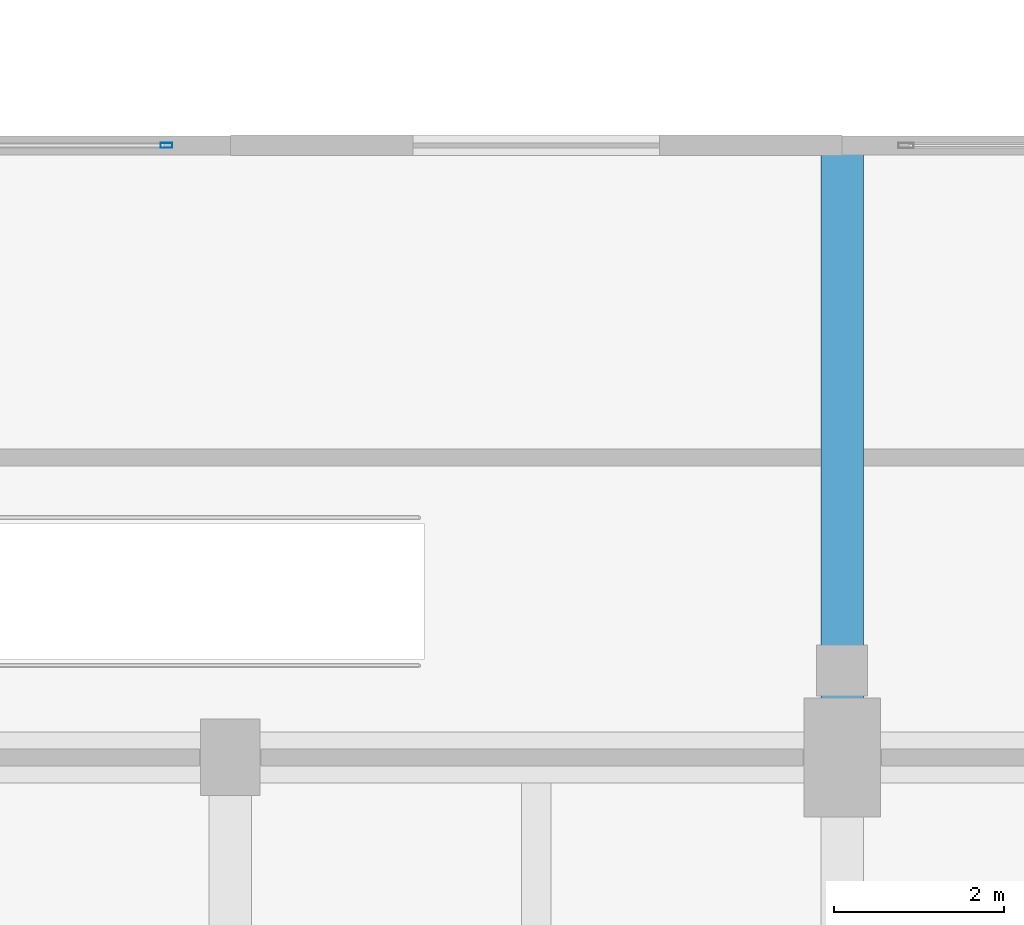
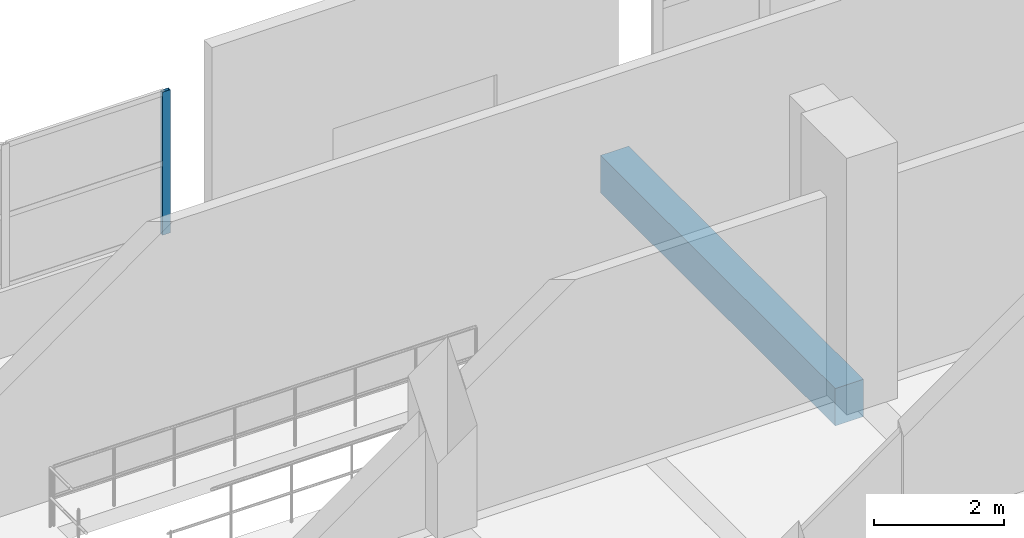
# One storey, part 88 of 181: 1 beam, 1 member, 1 element without a shape of its own.
"""IFC4 building model written with IfcOpenShell, lengths in metres."""

from ifc_helpers import new_model, si_unit, direction, frame, origin, origin_2d, place, context, subcontext, project, spatial, rectangle, hollow_rectangle, extrude, material, layer, layer_set, material_profile, profile_set, type_object, element, aggregate, save


model = new_model("IFC4")

# Units and contexts
model_context = context("Model", 3, precision=1e-05, world=origin(), true_north=direction((0.0, 1.0)))
body_context = subcontext(model_context, "Body", "Model", "MODEL_VIEW")
ifc_project = project(units=[si_unit("LENGTHUNIT", "METRE"), si_unit("AREAUNIT", "SQUARE_METRE"), si_unit("VOLUMEUNIT", "CUBIC_METRE"), si_unit("PLANEANGLEUNIT", "RADIAN"), si_unit("MASSUNIT", "GRAM", prefix="KILO")], contexts=[model_context])

# Site, building, storey
site_placement = place(None, origin())
site = spatial("IfcSite", under=ifc_project, at=site_placement, CompositionType="ELEMENT")
building_placement = place(site_placement, origin())
building = spatial("IfcBuilding", under=site, at=building_placement, Name="Seraya Terrace Polytechnic", CompositionType="ELEMENT")
storey_placement = place(building_placement, frame((0.0, 0.0, 4.800048828125)))
storey = spatial("IfcBuildingStorey", under=building, at=storey_placement, Name="L01", CompositionType="ELEMENT", Elevation=4.800048828125)

# Beam
ifc_material_1 = material(Name="Concrete C40/50", Category="concrete")
ifc_material_profile_1 = material_profile(ifc_material_1, rectangle(XDim=0.5, YDim=0.699951171875, at=origin_2d()), Name="RC 500x700")
ifc_profile_set_1 = profile_set([ifc_material_profile_1], Name="Concrete C40/50")
beam_type = type_object("IfcBeamType", Name="BM-07", PredefinedType="BEAM", material=ifc_profile_set_1)
beam_placement = place(storey_placement, frame((72.0, 79.199951171875, -0.35009765625), z_axis=(0.0, 1.0, 0.0), x_axis=(-1.0, 0.0, 0.0)))
element("IfcBeam", 1, at=beam_placement, inside=storey, type_object=beam_type, Name="Beam BM-07 L01 Y (72.0, 79.2..86.4)", PredefinedType="BEAM", context=body_context, shape_type="SweptSolid", body=[
    extrude(rectangle(XDim=0.5, YDim=0.699951171875, at=origin_2d()), origin(), (0.0, 0.0, 1.0), 7.199951171875),
])

# Curtain wall, member
ifc_material_2 = material(Name="Anodised aluminium EN AW-6063 T6", Category="aluminium")
ifc_layer = layer(ifc_material_2, 0.179931640625, Name="CW-12")
ifc_layer_set = layer_set([ifc_layer], Name="Anodised aluminium EN AW-6063 T6")
curtain_wall_type = type_object("IfcCurtainWallType", Name="CW-12", PredefinedType="NOTDEFINED", material=ifc_layer_set)
curtain_wall_placement = place(storey_placement, origin())
curtain_wall = element("IfcCurtainWall", 2, at=curtain_wall_placement, inside=storey, type_object=curtain_wall_type, Name="Unitised curtain wall CW-12 (CW-L01-012)", PredefinedType="NOTDEFINED")
ifc_material_profile_2 = material_profile(ifc_material_2, hollow_rectangle(XDim=0.06005859375, YDim=0.139892578125, WallThickness=0.00341796875, at=origin_2d()), Name="RHS 140x60x3.5")
ifc_profile_set_2 = profile_set([ifc_material_profile_2], Name="Anodised aluminium EN AW-6063 T6")
member_type = type_object("IfcMemberType", Name="CWM-03", PredefinedType="MULLION", material=ifc_profile_set_2)
member_placement = place(storey_placement, frame((64.050048828125, 86.39990234375, 1.239990234375), z_axis=(0.0, 0.0, 1.0), x_axis=(0.0, 1.0, 0.0)))
member = element("IfcMember", 3, at=member_placement, type_object=member_type, Name="CW-12 mullion 3", PredefinedType="MULLION", context=body_context, shape_type="SweptSolid", body=[
    extrude(hollow_rectangle(XDim=0.06005859375, YDim=0.139892578125, WallThickness=0.00341796875, at=origin_2d()), origin(), (0.0, 0.0, 1.0), 2.679931640625),
])
aggregate(curtain_wall, [member])

save(model, "model.ifc")
